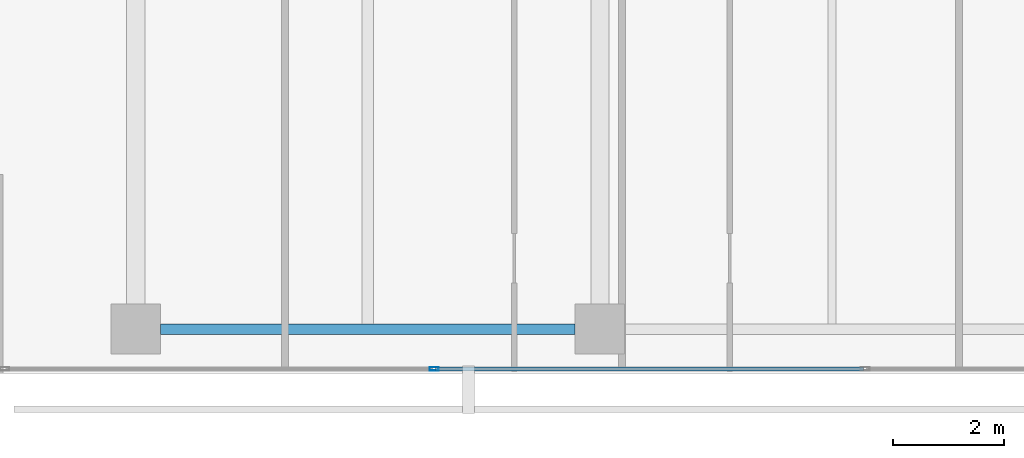
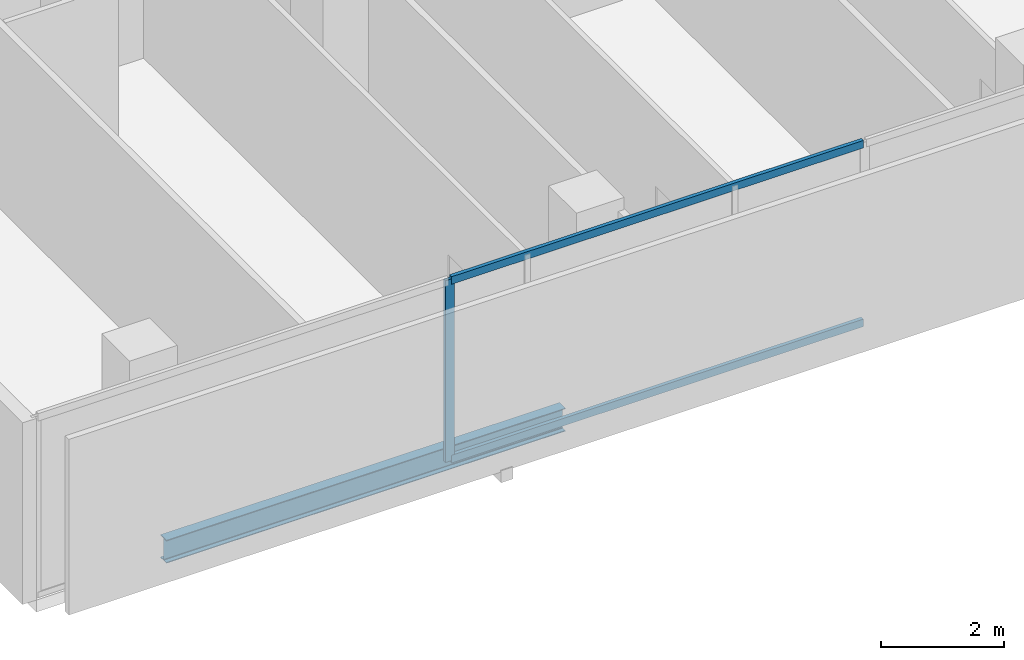
# One storey, part 3 of 40: 3 members, 1 beam, 1 element without a shape of its own.
"""IFC4 building model written with IfcOpenShell, lengths in metres."""

from ifc_helpers import new_model, si_unit, direction, frame, origin, origin_2d, place, context, subcontext, project, spatial, hollow_rectangle, i_section, extrude, material, layer, layer_set, material_profile, profile_set, type_object, element, aggregate, save


model = new_model("IFC4")

# Units and contexts
model_context = context("Model", 3, precision=1e-05, world=origin(), true_north=direction((0.0, 1.0)))
body_context = subcontext(model_context, "Body", "Model", "MODEL_VIEW")
ifc_project = project(units=[si_unit("LENGTHUNIT", "METRE"), si_unit("AREAUNIT", "SQUARE_METRE"), si_unit("VOLUMEUNIT", "CUBIC_METRE"), si_unit("PLANEANGLEUNIT", "RADIAN"), si_unit("MASSUNIT", "GRAM", prefix="KILO")], contexts=[model_context])

# Site, building, storey
site_placement = place(None, origin())
site = spatial("IfcSite", under=ifc_project, at=site_placement, CompositionType="ELEMENT")
building_placement = place(site_placement, origin())
building = spatial("IfcBuilding", under=site, at=building_placement, Name="Maruvema Waterfront Hotel and Observation Tower", CompositionType="ELEMENT")
storey_placement = place(building_placement, frame((0.0, 0.0, 30.800048828125)))
storey = spatial("IfcBuildingStorey", under=building, at=storey_placement, Name="L06", CompositionType="ELEMENT", Elevation=30.800048828125)

# Curtain wall, members
ifc_material_1 = material(Name="Anodised bronze aluminium and solar-control low-E IGU", Category="aluminium")
ifc_layer = layer(ifc_material_1, 0.159912109375, Name="Zone 1 Bronze Inner Thermal Curtain Wall System CW-02")
ifc_layer_set = layer_set([ifc_layer], Name="Anodised bronze aluminium and solar-control low-E IGU")
curtain_wall_type = type_object("IfcCurtainWallType", Name="Zone 1 Bronze Inner Thermal Curtain Wall System CW-02", PredefinedType="USERDEFINED", material=ifc_layer_set)
curtain_wall_placement = place(storey_placement, origin())
curtain_wall = element("IfcCurtainWall", 1, at=curtain_wall_placement, inside=storey, type_object=curtain_wall_type, Name="L06 Curtain Wall CW-L06-S", ObjectType="UNITISED CURTAIN WALL", PredefinedType="USERDEFINED")
ifc_material_2 = material(Name="Anodised architectural bronze aluminium", Category="aluminium")
ifc_material_profile_1 = material_profile(ifc_material_2, hollow_rectangle(XDim=0.070068359375, YDim=0.14990234375, WallThickness=0.00390625, at=origin_2d()), Name="ALU-T70x150")
ifc_profile_set_1 = profile_set([ifc_material_profile_1], Name="Anodised architectural bronze aluminium")
member_type_1 = type_object("IfcMemberType", Name="Curtain Wall Horizontal Transom ALU-T70x150", PredefinedType="USERDEFINED", material=ifc_profile_set_1)
member_1_placement = place(storey_placement, frame((22.22998046875, 0.080078125, 0.030029296875), z_axis=(1.0, 0.0, 0.0), x_axis=(0.0, 1.0, 0.0)))
member_1 = element("IfcMember", 2, at=member_1_placement, type_object=member_type_1, Name="CW-02 transom 2.1", ObjectType="TRANSOM", PredefinedType="USERDEFINED", context=body_context, shape_type="SweptSolid", body=[
    extrude(hollow_rectangle(XDim=0.070068359375, YDim=0.14990234375, WallThickness=0.00390625, at=origin_2d()), origin(), (0.0, 0.0, 1.0), 7.739990234375),
])
member_2_placement = place(storey_placement, frame((22.22998046875, 0.080078125, 3.579833984375), z_axis=(1.0, 0.0, 0.0), x_axis=(0.0, 1.0, 0.0)))
member_2 = element("IfcMember", 3, at=member_2_placement, type_object=member_type_1, Name="CW-02 transom 2.2", ObjectType="TRANSOM", PredefinedType="USERDEFINED", context=body_context, shape_type="SweptSolid", body=[
    extrude(hollow_rectangle(XDim=0.070068359375, YDim=0.14990234375, WallThickness=0.00390625, at=origin_2d()), origin(), (0.0, 0.0, 1.0), 7.739990234375),
])
ifc_material_3 = material(Name="Anodised architectural bronze aluminium", Category="aluminium")
ifc_material_profile_2 = material_profile(ifc_material_3, hollow_rectangle(XDim=0.06494140625, YDim=0.1650390625, WallThickness=0.00390625, at=origin_2d()), Name="ALU-M65x165")
ifc_profile_set_2 = profile_set([ifc_material_profile_2], Name="Anodised architectural bronze aluminium")
member_type_2 = type_object("IfcMemberType", Name="Curtain Wall Primary Mullion ALU-M65x165", PredefinedType="MULLION", material=ifc_profile_set_2)
member_3_placement = place(storey_placement, frame((22.199951171875, 0.080078125, 0.0), z_axis=(0.0, 0.0, 1.0), x_axis=(0.0, 1.0, 0.0)))
member_3 = element("IfcMember", 4, at=member_3_placement, type_object=member_type_2, Name="CW-02 mullion 2", PredefinedType="MULLION", context=body_context, shape_type="SweptSolid", body=[
    extrude(hollow_rectangle(XDim=0.06494140625, YDim=0.1650390625, WallThickness=0.00390625, at=origin_2d()), origin(), (0.0, 0.0, 1.0), 3.60986328125),
])
aggregate(curtain_wall, [member_3, member_1, member_2])

# Beam
ifc_material_4 = material(Name="Steel ASTM A572 Grade 50", Category="steel")
ifc_material_profile_3 = material_profile(ifc_material_4, i_section(OverallWidth=0.18994140625, OverallDepth=0.45703125, WebThickness=0.009033203125, FlangeThickness=0.014404296875, FilletRadius=0.014892578125, at=origin_2d()), Name="W460x74.0")
ifc_profile_set_3 = profile_set([ifc_material_profile_3], Name="Steel ASTM A572 Grade 50")
beam_type = type_object("IfcBeamType", Name="Perimeter Spandrel Beam W460x74.0", PredefinedType="SPANDREL", material=ifc_profile_set_3)
beam_placement = place(storey_placement, frame((17.25, 0.800048828125, -0.468505859375), z_axis=(1.0, 0.0, 0.0), x_axis=(0.0, 1.0, 0.0)))
element("IfcBeam", 5, at=beam_placement, inside=storey, type_object=beam_type, Name="L06 Floor Girder EW-01", PredefinedType="SPANDREL", context=body_context, shape_type="SweptSolid", body=[
    extrude(i_section(OverallWidth=0.18994140625, OverallDepth=0.45703125, WebThickness=0.009033203125, FlangeThickness=0.014404296875, FilletRadius=0.014892578125, at=origin_2d()), origin(), (0.0, 0.0, 1.0), 7.5),
])

save(model, "model.ifc")
